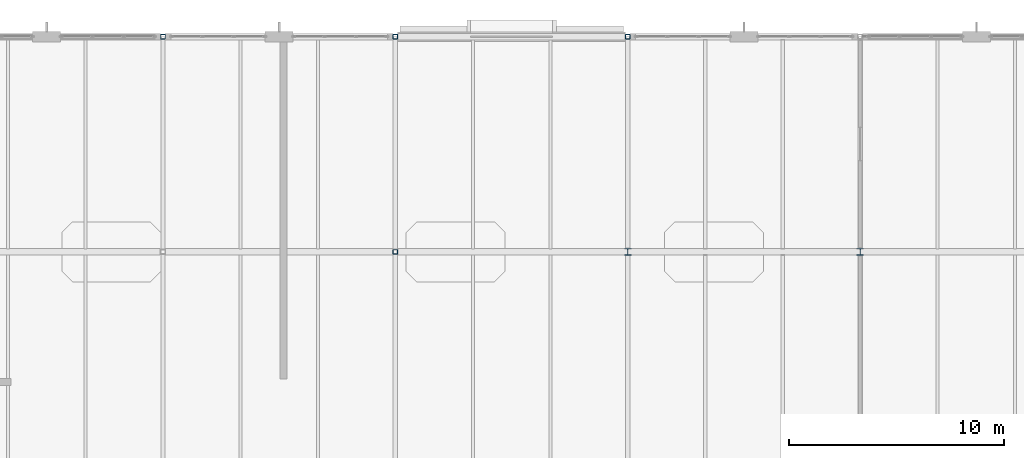
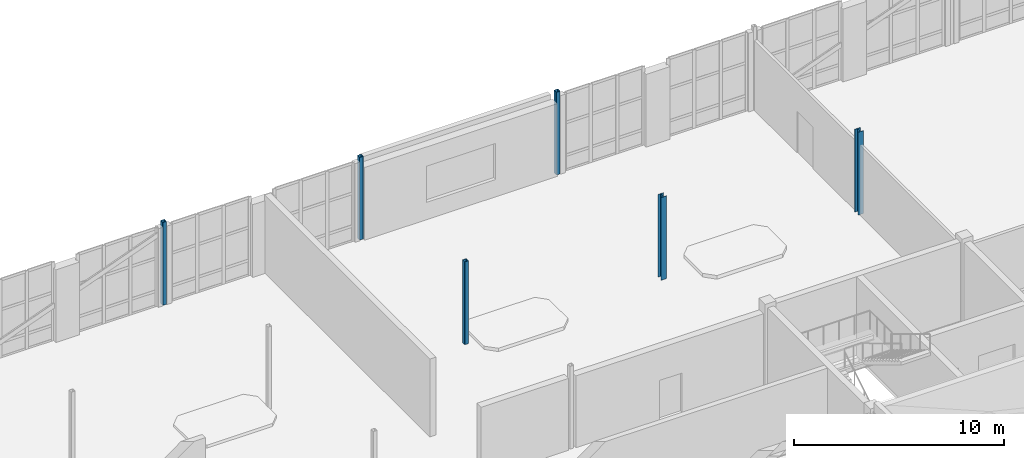
# One storey, part 8 of 86: 6 columns.
"""IFC4 building model written with IfcOpenShell, lengths in metres."""

from ifc_helpers import new_model, si_unit, direction, frame, origin, origin_2d, place, context, subcontext, project, spatial, hollow_rectangle, i_section, extrude, material, material_profile, profile_set, type_object, element, save


model = new_model("IFC4")

# Units and contexts
model_context = context("Model", 3, precision=1e-05, world=origin(), true_north=direction((0.0, 1.0)))
body_context = subcontext(model_context, "Body", "Model", "MODEL_VIEW")
ifc_project = project(units=[si_unit("LENGTHUNIT", "METRE"), si_unit("AREAUNIT", "SQUARE_METRE"), si_unit("VOLUMEUNIT", "CUBIC_METRE"), si_unit("PLANEANGLEUNIT", "RADIAN"), si_unit("MASSUNIT", "GRAM", prefix="KILO")], contexts=[model_context])

# Site, building, storey
site_placement = place(None, origin())
site = spatial("IfcSite", under=ifc_project, at=site_placement, CompositionType="ELEMENT")
building_placement = place(site_placement, origin())
building = spatial("IfcBuilding", under=site, at=building_placement, Name="Tasgan Crest Museum", CompositionType="ELEMENT")
storey_placement = place(building_placement, frame((0.0, 0.0, 24.0)))
storey = spatial("IfcBuildingStorey", under=building, at=storey_placement, Name="L04", CompositionType="ELEMENT", Elevation=24.0)

# Columns
ifc_material_1 = material(Name="Steel S355J2", Category="steel")
ifc_material_profile_1 = material_profile(ifc_material_1, i_section(OverallWidth=0.300048828125, OverallDepth=0.31005859375, WebThickness=0.009033203125, FlangeThickness=0.015380859375, FilletRadius=0.027099609375, at=origin_2d()), Name="HEA 320")
ifc_profile_set_1 = profile_set([ifc_material_profile_1], Name="Steel S355J2")
column_type_1 = type_object("IfcColumnType", Name="COL-HEA320", PredefinedType="COLUMN", material=ifc_profile_set_1)
for number, where, z_axis, x_axis, name in (
    (1, (54.0, 102.0, 0.0), (0.0, 0.0, 1.0), (1.0, 0.0, 0.0), "Column 6/L L04"),
    (2, (64.800048828125, 102.0, 0.0), (0.0, 0.0, 1.0), (1.0, 0.0, 0.0), "Column 7/L L04"),
):
    element("IfcColumn", number, at=place(storey_placement, frame(where, z_axis=z_axis, x_axis=x_axis)), inside=storey, type_object=column_type_1, Name=name, PredefinedType="COLUMN", context=body_context, shape_type="SweptSolid", body=[
        extrude(i_section(OverallWidth=0.300048828125, OverallDepth=0.31005859375, WebThickness=0.009033203125, FlangeThickness=0.015380859375, FilletRadius=0.027099609375, at=origin_2d()), origin(), (0.0, 0.0, 1.0), 4.800048828125),
    ])
ifc_material_2 = material(Name="Steel S355J2", Category="steel")
ifc_material_profile_2 = material_profile(ifc_material_2, hollow_rectangle(XDim=0.219970703125, YDim=0.219970703125, WallThickness=0.012451171875, InnerFilletRadius=0.012451171875, OuterFilletRadius=0.02490234375, at=origin_2d()), Name="SHS 220x220x12.5")
ifc_profile_set_2 = profile_set([ifc_material_profile_2], Name="Steel S355J2")
column_type_2 = type_object("IfcColumnType", Name="COL-SHS220", PredefinedType="COLUMN", material=ifc_profile_set_2)
for number, where, z_axis, x_axis, name in (
    (3, (32.39990234375, 112.0, 0.0), (0.0, 0.0, 1.0), (1.0, 0.0, 0.0), "Column 4/M L04"),
    (4, (43.199951171875, 102.0, 0.0), (0.0, 0.0, 1.0), (1.0, 0.0, 0.0), "Column 5/L L04"),
    (5, (43.199951171875, 112.0, 0.0), (0.0, 0.0, 1.0), (1.0, 0.0, 0.0), "Column 5/M L04"),
    (6, (54.0, 112.0, 0.0), (0.0, 0.0, 1.0), (1.0, 0.0, 0.0), "Column 6/M L04"),
):
    element("IfcColumn", number, at=place(storey_placement, frame(where, z_axis=z_axis, x_axis=x_axis)), inside=storey, type_object=column_type_2, Name=name, PredefinedType="COLUMN", context=body_context, shape_type="SweptSolid", body=[
        extrude(hollow_rectangle(XDim=0.219970703125, YDim=0.219970703125, WallThickness=0.012451171875, InnerFilletRadius=0.012451171875, OuterFilletRadius=0.02490234375, at=origin_2d()), origin(), (0.0, 0.0, 1.0), 4.800048828125),
    ])

save(model, "model.ifc")
